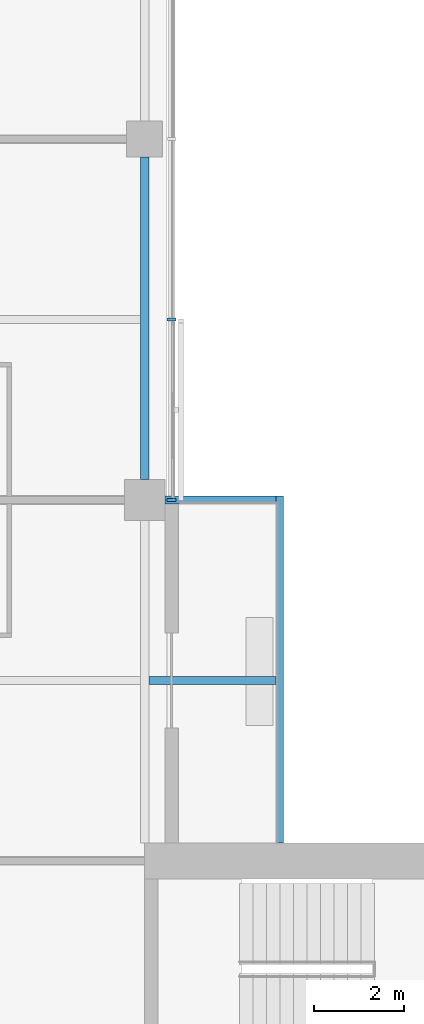
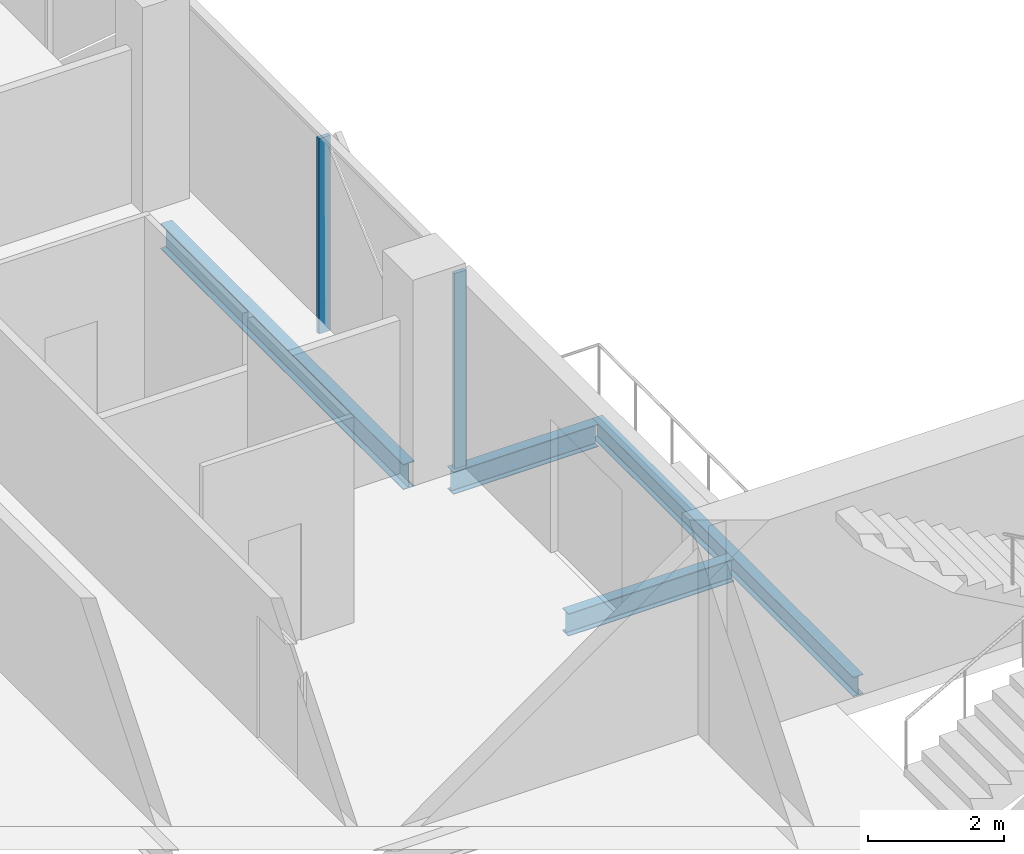
# One storey, part 10 of 27: 4 beams, 2 members, 1 element without a shape of its own.
"""IFC4 building model written with IfcOpenShell, lengths in metres."""

from ifc_helpers import new_model, si_unit, direction, frame, origin, origin_2d, place, context, subcontext, project, spatial, rectangle, i_section, extrude, material, material_profile, profile_set, type_object, element, aggregate, save


model = new_model("IFC4")

# Units and contexts
model_context = context("Model", 3, precision=1e-05, world=origin(), true_north=direction((0.0, 1.0)))
body_context = subcontext(model_context, "Body", "Model", "MODEL_VIEW")
ifc_project = project(units=[si_unit("LENGTHUNIT", "METRE"), si_unit("AREAUNIT", "SQUARE_METRE"), si_unit("VOLUMEUNIT", "CUBIC_METRE"), si_unit("PLANEANGLEUNIT", "RADIAN"), si_unit("MASSUNIT", "GRAM", prefix="KILO")], contexts=[model_context])

# Site, building, storey
site_placement = place(None, origin())
site = spatial("IfcSite", under=ifc_project, at=site_placement, CompositionType="ELEMENT")
building_placement = place(site_placement, origin())
building = spatial("IfcBuilding", under=site, at=building_placement, Name="Crosswind Convention Tower", CompositionType="ELEMENT")
storey_placement = place(building_placement, frame((0.0, 0.0, 101.60009765625)))
storey = spatial("IfcBuildingStorey", under=building, at=storey_placement, Name="L20", CompositionType="ELEMENT", Elevation=101.60009765625)

# Beams
ifc_material_1 = material(Name="Steel S355", Category="steel")
ifc_material_profile_1 = material_profile(ifc_material_1, i_section(OverallWidth=0.177734375, OverallDepth=0.406494140625, WebThickness=0.0078125, FlangeThickness=0.0126953125, FilletRadius=0.01025390625, at=origin_2d()), Name="UB 406x178x60")
ifc_profile_set_1 = profile_set([ifc_material_profile_1], Name="Steel S355")
beam_type_1 = type_object("IfcBeamType", Name="Balcony cantilever UB 406x178x60", PredefinedType="BEAM", material=ifc_profile_set_1)
beam_1_placement = place(storey_placement, frame((137.09521484375, 116.0, -0.4833984375), z_axis=(1.0, 0.0, 0.0), x_axis=(0.0, 1.0, 0.0)))
element("IfcBeam", 1, at=beam_1_placement, inside=storey, type_object=beam_type_1, Name="B35 L20 balcony cantilever NE 1", PredefinedType="BEAM", context=body_context, shape_type="SweptSolid", body=[
    extrude(i_section(OverallWidth=0.177734375, OverallDepth=0.406494140625, WebThickness=0.0078125, FlangeThickness=0.0126953125, FilletRadius=0.01025390625, at=origin_2d()), origin(), (0.0, 0.0, 1.0), 2.8193359375),
])
beam_2_placement = place(storey_placement, frame((137.449951171875, 120.0, -0.4833984375), z_axis=(1.0, 0.0, 0.0), x_axis=(0.0, 1.0, 0.0)))
element("IfcBeam", 2, at=beam_2_placement, inside=storey, type_object=beam_type_1, Name="B35 L20 balcony cantilever NE 2", PredefinedType="BEAM", context=body_context, shape_type="SweptSolid", body=[
    extrude(i_section(OverallWidth=0.177734375, OverallDepth=0.406494140625, WebThickness=0.0078125, FlangeThickness=0.0126953125, FilletRadius=0.01025390625, at=origin_2d()), origin(), (0.0, 0.0, 1.0), 2.464599609375),
])
ifc_material_profile_2 = material_profile(ifc_material_1, i_section(OverallWidth=0.1708984375, OverallDepth=0.35205078125, WebThickness=0.0068359375, FlangeThickness=0.009765625, FilletRadius=0.01025390625, at=origin_2d()), Name="UB 356x171x45")
ifc_profile_set_2 = profile_set([ifc_material_profile_2], Name="Steel S355")
beam_type_2 = type_object("IfcBeamType", Name="Balcony edge beam UB 356x171x45", PredefinedType="BEAM", material=ifc_profile_set_2)
beam_3_placement = place(storey_placement, frame((140.0, 112.39990234375, -0.4560546875), z_axis=(0.0, 1.0, 0.0), x_axis=(-1.0, 0.0, 0.0)))
element("IfcBeam", 3, at=beam_3_placement, inside=storey, type_object=beam_type_2, Name="B37 L20 balcony edge beam NE 3", PredefinedType="BEAM", context=body_context, shape_type="SweptSolid", body=[
    extrude(i_section(OverallWidth=0.1708984375, OverallDepth=0.35205078125, WebThickness=0.0068359375, FlangeThickness=0.009765625, FilletRadius=0.01025390625, at=origin_2d()), origin(), (0.0, 0.0, 1.0), 7.68896484375),
])
ifc_material_profile_3 = material_profile(ifc_material_1, i_section(OverallWidth=0.1904296875, OverallDepth=0.457275390625, WebThickness=0.009033203125, FlangeThickness=0.014404296875, FilletRadius=0.01025390625, at=origin_2d()), Name="UB 457x191x75")
ifc_profile_set_3 = profile_set([ifc_material_profile_3], Name="Steel S355")
beam_type_3 = type_object("IfcBeamType", Name="Edge beam UB 457x191x75", PredefinedType="SPANDREL", material=ifc_profile_set_3)
beam_4_placement = place(storey_placement, frame((137.0, 120.449951171875, -0.5087890625), z_axis=(0.0, 1.0, 0.0), x_axis=(-1.0, 0.0, 0.0)))
element("IfcBeam", 4, at=beam_4_placement, inside=storey, type_object=beam_type_3, Name="B17 L20 edge beam 22", PredefinedType="SPANDREL", context=body_context, shape_type="SweptSolid", body=[
    extrude(i_section(OverallWidth=0.1904296875, OverallDepth=0.457275390625, WebThickness=0.009033203125, FlangeThickness=0.014404296875, FilletRadius=0.01025390625, at=origin_2d()), origin(), (0.0, 0.0, 1.0), 7.150146484375),
])

# Curtain wall, members
ifc_material_2 = material(Name="Aluminium unitised curtain wall", Category="aluminium")
curtain_wall_type = type_object("IfcCurtainWallType", Name="HOTEL UNITISED WALL 200", PredefinedType="USERDEFINED", material=ifc_material_2)
curtain_wall_placement = place(storey_placement, origin())
curtain_wall = element("IfcCurtainWall", 5, at=curtain_wall_placement, inside=storey, type_object=curtain_wall_type, Name="CW2 L20 N-E 1", ObjectType="UNITISED", PredefinedType="USERDEFINED")
ifc_material_3 = material(Name="Aluminium mullion", Category="aluminium")
ifc_material_profile_4 = material_profile(ifc_material_3, rectangle(XDim=0.199951171875, YDim=0.06494140625, at=origin_2d()), Name="AL 200X65")
ifc_profile_set_4 = profile_set([ifc_material_profile_4], Name="Aluminium mullion")
member_type = type_object("IfcMemberType", Name="MULLION 65X200", PredefinedType="MULLION", material=ifc_profile_set_4)
member_1_placement = place(storey_placement, frame((137.60009765625, 120.0, -0.280029296875), z_axis=(0.0, 0.0, 1.0), x_axis=(1.0, 0.0, 0.0)))
member_1 = element("IfcMember", 6, at=member_1_placement, type_object=member_type, Name="CW2 mullion 1", PredefinedType="MULLION", context=body_context, shape_type="SweptSolid", body=[
    extrude(rectangle(XDim=0.199951171875, YDim=0.06494140625, at=origin_2d()), origin(), (0.0, 0.0, 1.0), 3.514892578125),
])
member_2_placement = place(storey_placement, frame((137.60009765625, 124.0, -0.280029296875), z_axis=(0.0, 0.0, 1.0), x_axis=(1.0, 0.0, 0.0)))
member_2 = element("IfcMember", 7, at=member_2_placement, type_object=member_type, Name="CW2 mullion 2", PredefinedType="MULLION", context=body_context, shape_type="SweptSolid", body=[
    extrude(rectangle(XDim=0.199951171875, YDim=0.06494140625, at=origin_2d()), origin(), (0.0, 0.0, 1.0), 3.514892578125),
])
aggregate(curtain_wall, [member_1, member_2])

save(model, "model.ifc")
